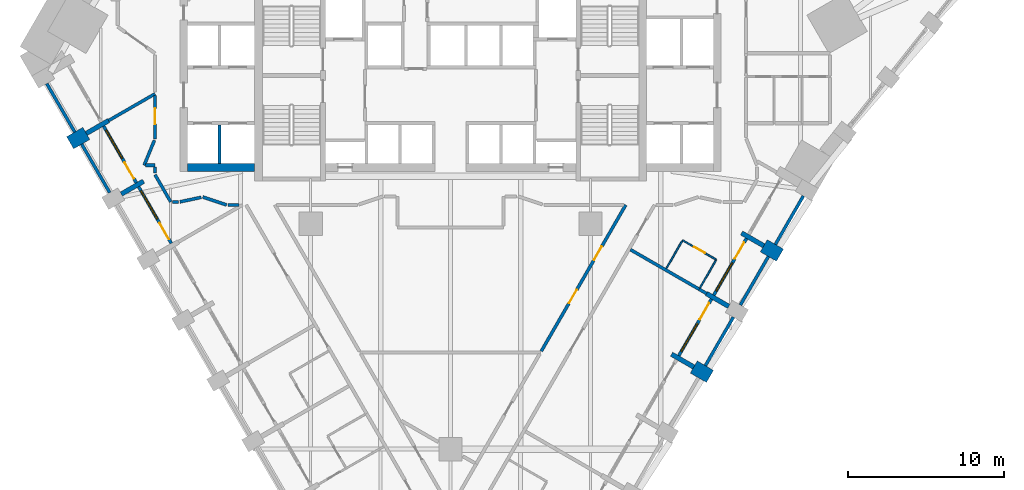
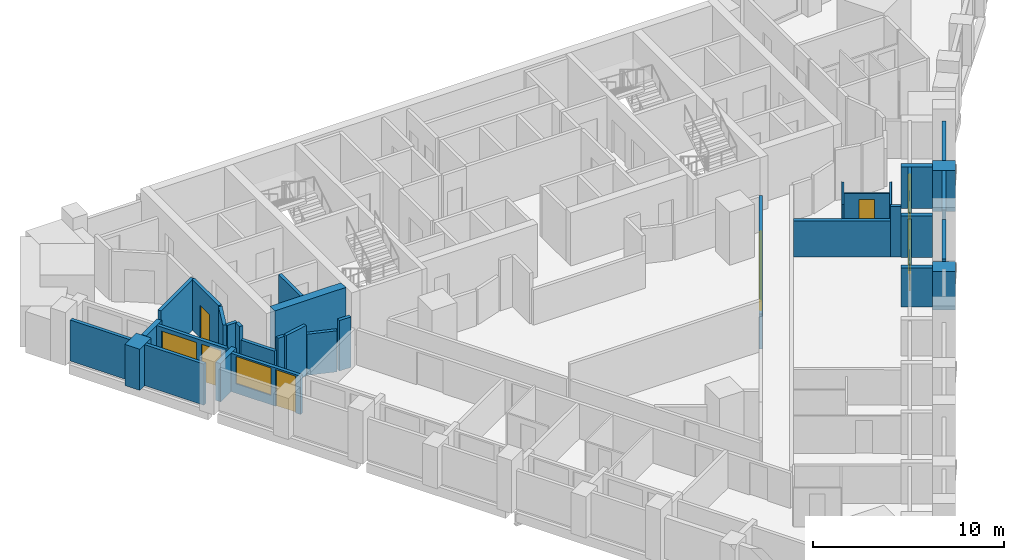
# One storey, part 5 of 11: 35 walls, 8 doors, 4 windows, 12 openings.
"""IFC4 building model written with IfcOpenShell, lengths in metres."""

from ifc_helpers import new_model, si_unit, direction, frame, frame_2d, origin, place, context, subcontext, project, spatial, rectangle, extrude, material, layer, layer_set, type_object, element, fill, save


model = new_model("IFC4")

# Units and contexts
model_context = context("Model", 3, precision=1e-05, world=origin(), true_north=direction((0.0, 1.0)))
body_context = subcontext(model_context, "Body", "Model", "MODEL_VIEW")
ifc_project = project(units=[si_unit("LENGTHUNIT", "METRE"), si_unit("AREAUNIT", "SQUARE_METRE"), si_unit("VOLUMEUNIT", "CUBIC_METRE"), si_unit("PLANEANGLEUNIT", "RADIAN"), si_unit("MASSUNIT", "GRAM", prefix="KILO")], contexts=[model_context])

# Site, building, storey
site_placement = place(None, origin())
site = spatial("IfcSite", under=ifc_project, at=site_placement, CompositionType="ELEMENT")
building_placement = place(site_placement, origin())
building = spatial("IfcBuilding", under=site, at=building_placement, Name="Calabash Gate Tower", CompositionType="ELEMENT")
storey_placement = place(building_placement, frame((0.0, 0.0, 129.199951171875)))
storey = spatial("IfcBuildingStorey", under=building, at=storey_placement, Name="L30", CompositionType="ELEMENT", Elevation=129.199951171875)

# Walls
ifc_material_1 = material(Name="Terracotta brick masonry, exposed face", Category="masonry")
ifc_layer_1 = layer(ifc_material_1, 1.199951171875)
ifc_layer_set_1 = layer_set([ifc_layer_1], Name="Brick end wall 1200")
wall_type_1 = type_object("IfcWallType", Name="Brick end wall 1200", PredefinedType="SOLIDWALL", material=ifc_layer_set_1)
wall_1_placement = place(storey_placement, frame((-24.457763671875, 7.697265625, 0.0), z_axis=(0.0, 0.0, 1.0), x_axis=(0.865955154139, 0.50012165622, 0.0)))
element("IfcWall", 1, at=wall_1_placement, inside=storey, type_object=wall_type_1, Name="Brick pier S08 SW0.1", PredefinedType="SOLIDWALL", context=body_context, shape_type="SweptSolid", body=[
    extrude(rectangle(XDim=1.199951171875, YDim=0.89990234375, at=frame_2d((0.60009765625, 0.0))), origin(), (0.0, 0.0, 1.0), 2.630126953125),
])
wall_2_placement = place(storey_placement, frame((15.636962890625, -6.720947265625, 0.0), z_axis=(0.0, 0.0, 1.0), x_axis=(0.866094119867, -0.499880961361, 0.0)))
element("IfcWall", 2, at=wall_2_placement, inside=storey, type_object=wall_type_1, Name="Brick pier S08 SE2.5", PredefinedType="SOLIDWALL", context=body_context, shape_type="SweptSolid", body=[
    extrude(rectangle(XDim=1.199951171875, YDim=0.89990234375, at=frame_2d((0.60009765625, 0.0))), origin(), (0.0, 0.0, 1.0), 2.4736328125),
])
wall_3_placement = place(storey_placement, frame((21.17626953125, 0.473388671875, 0.0), z_axis=(0.0, 0.0, 1.0), x_axis=(-0.866006032174, 0.500033551112, 0.0)))
element("IfcWall", 3, at=wall_3_placement, inside=storey, type_object=wall_type_1, Name="Brick pier S08 SE2.7", PredefinedType="SOLIDWALL", context=body_context, shape_type="SweptSolid", body=[
    extrude(rectangle(XDim=1.2001953125, YDim=0.89990234375, at=frame_2d((0.60009765625, 0.0))), origin(), (0.0, 0.0, 1.0), 2.630126953125),
])
ifc_material_2 = material(Name="Terracotta brick masonry, exposed face", Category="masonry")
ifc_layer_2 = layer(ifc_material_2, 0.300048828125)
ifc_layer_set_2 = layer_set([ifc_layer_2], Name="Brick loggia cheek wall 300")
wall_type_2 = type_object("IfcWallType", Name="Brick loggia cheek wall 300", PredefinedType="SOLIDWALL", material=ifc_layer_set_2)
wall_4_placement = place(storey_placement, frame((-23.418701171875, 8.29736328125, 0.0), z_axis=(0.0, 0.0, 1.0), x_axis=(0.866040211805, 0.499974350878, 0.0)))
element("IfcWall", 4, at=wall_4_placement, inside=storey, type_object=wall_type_2, Name="Loggia cheek S08 SW0.1", PredefinedType="SOLIDWALL", context=body_context, shape_type="SweptSolid", body=[
    extrude(rectangle(XDim=1.64990234375, YDim=0.300048828125, at=frame_2d((0.824951171875, 0.0))), origin(), (0.0, 0.0, 1.0), 2.650146484375),
])
wall_5_placement = place(storey_placement, frame((-21.16845703125, 4.400146484375, 0.0), z_axis=(0.0, 0.0, 1.0), x_axis=(0.866003217194, 0.500038426333, 0.0)))
element("IfcWall", 5, at=wall_5_placement, inside=storey, type_object=wall_type_2, Name="Loggia cheek S08 SW0.2", PredefinedType="SOLIDWALL", context=body_context, shape_type="SweptSolid", body=[
    extrude(rectangle(XDim=1.649658203125, YDim=0.300048828125, at=frame_2d((0.82470703125, 0.0))), origin(), (0.0, 0.0, 1.0), 2.4501953125),
])
wall_6_placement = place(storey_placement, frame((15.636962890625, -6.720947265625, 0.0), z_axis=(0.0, 0.0, 1.0), x_axis=(-0.865976140824, 0.500085316245, 0.0)))
element("IfcWall", 6, at=wall_6_placement, inside=storey, type_object=wall_type_2, Name="Loggia cheek S08 SE2.5", PredefinedType="SOLIDWALL", context=body_context, shape_type="SweptSolid", body=[
    extrude(rectangle(XDim=1.650146484375, YDim=0.300048828125, at=frame_2d((0.8251953125, 0.0))), origin(), (0.0, 0.0, 1.0), 2.4736328125),
])
for number, where, z_axis, x_axis, name in (
    (7, (16.4580078125, -1.998779296875, 0.0), (0.0, 0.0, 1.0), (0.866040211805, -0.499974350878, 0.0), "Loggia cheek S08 SE2.6"),
    (8, (18.7080078125, 1.8984375, 0.0), (0.0, 0.0, 1.0), (0.866040211805, -0.499974350878, 0.0), "Loggia cheek S08 SE2.7"),
):
    element("IfcWall", number, at=place(storey_placement, frame(where, z_axis=z_axis, x_axis=x_axis)), inside=storey, type_object=wall_type_2, Name=name, PredefinedType="SOLIDWALL", context=body_context, shape_type="SweptSolid", body=[
        extrude(rectangle(XDim=1.64990234375, YDim=0.300048828125, at=frame_2d((0.824951171875, 0.0))), origin(), (0.0, 0.0, 1.0), 2.650146484375),
    ])
ifc_material_3 = material(Name="Concrete C80/95", Category="concrete")
ifc_layer_3 = layer(ifc_material_3, 0.5)
ifc_layer_set_3 = layer_set([ifc_layer_3], Name="Core wall 500 Concrete C80/95")
wall_type_3 = type_object("IfcWallType", Name="Core wall 500 Concrete C80/95", PredefinedType="SHEAR", material=ifc_layer_set_3)
wall_7_placement = place(storey_placement, frame((-12.60009765625, 6.1025390625, 0.0), z_axis=(0.0, 0.0, 1.0), x_axis=(-1.0, 0.0, 0.0)))
element("IfcWall", 9, at=wall_7_placement, inside=storey, type_object=wall_type_3, Name="Core wall Z2-SW L30", PredefinedType="SHEAR", context=body_context, shape_type="SweptSolid", body=[
    extrude(rectangle(XDim=4.2998046875, YDim=0.5, at=frame_2d((2.14990234375, 0.0))), origin(), (0.0, 0.0, 1.0), 3.400146484375),
])
ifc_material_4 = material(Name="Gypsum board on steel studs, mineral wool", Category="steel")
ifc_layer_4 = layer(ifc_material_4, 0.10009765625)
ifc_layer_set_4 = layer_set([ifc_layer_4], Name="Partition 100 gypsum board")
wall_type_4 = type_object("IfcWallType", Name="Partition 100 gypsum board", PredefinedType="PARTITIONING", material=ifc_layer_set_4)
wall_8_placement = place(storey_placement, frame((16.030517578125, -1.635986328125, 0.0), z_axis=(0.0, 0.0, 1.0), x_axis=(0.500646589026, 0.865651773461, 0.0)))
element("IfcWall", 10, at=wall_8_placement, inside=storey, type_object=wall_type_4, Name="Partition", PredefinedType="PARTITIONING", context=body_context, shape_type="SweptSolid", body=[
    extrude(rectangle(XDim=2.050048828125, YDim=0.10009765625, at=frame_2d((1.02490234375, 0.0))), origin(), (0.0, 0.0, 1.0), 3.22998046875),
])

# Wall, opening, door
wall_9_placement = place(storey_placement, frame((14.9169921875, 1.431884765625, 0.0), z_axis=(0.0, 0.0, 1.0), x_axis=(0.866022959057, -0.500004234368, 0.0)))
wall_9 = element("IfcWall", 11, at=wall_9_placement, inside=storey, type_object=wall_type_4, Name="Partition", PredefinedType="PARTITIONING", context=body_context, shape_type="SweptSolid", body=[
    extrude(rectangle(XDim=2.5, YDim=0.10009765625, at=frame_2d((1.25, 0.0))), origin(), (0.0, 0.0, 1.0), 2.4736328125),
])
opening_1_placement = place(wall_9_placement, frame((0.85009765625, 0.0, 0.0)))
opening_1 = element("IfcOpeningElement", 12, at=opening_1_placement, cuts=wall_9, Name="Opening 28-30-014", PredefinedType="OPENING", context=body_context, shape_type="SweptSolid", body=[
    extrude(rectangle(XDim=0.800048828125, YDim=2.10009765625, at=frame_2d((0.39990234375, 1.050048828125))), frame((0.0, 0.06005859375, 0.0), z_axis=(0.0, -1.0, 0.0), x_axis=(1.0, 0.0, 0.0)), (0.0, 0.0, 1.0), 0.1201171875),
])
ifc_material_5 = material(Name="Painted timber door", Category="wood")
door_type_1 = type_object("IfcDoorType", Name="GD5 En-suite door 800x2100", OperationType="NOTDEFINED", PredefinedType="DOOR", material=ifc_material_5)
door_1_placement = place(opening_1_placement, origin())
door_1 = element("IfcDoor", 13, at=door_1_placement, inside=storey, type_object=door_type_1, Name="En-suite door", OperationType="SINGLE_SWING_RIGHT", OverallHeight=2.10009765625, OverallWidth=0.800048828125, PredefinedType="DOOR", context=body_context, shape_type="SweptSolid", body=[
    extrude(rectangle(XDim=0.800048828125, YDim=2.10009765625, at=frame_2d((0.39990234375, 1.050048828125))), frame((0.0, 0.02490234375, 0.0), z_axis=(0.0, -1.0, 0.0), x_axis=(1.0, 0.0, 0.0)), (0.0, 0.0, 1.0), 0.050048828125),
])
fill(opening_1, door_1)

# Wall
wall_10_placement = place(storey_placement, frame((13.868408203125, -0.387451171875, 0.0), z_axis=(0.0, 0.0, 1.0), x_axis=(0.499265284884, 0.866449176415, 0.0)))
element("IfcWall", 14, at=wall_10_placement, inside=storey, type_object=wall_type_4, Name="Partition", PredefinedType="PARTITIONING", context=body_context, shape_type="SweptSolid", body=[
    extrude(rectangle(XDim=2.0498046875, YDim=0.10009765625, at=frame_2d((1.02490234375, 0.0))), origin(), (0.0, 0.0, 1.0), 3.22998046875),
])

# Wall, openings, doors
ifc_material_6 = material(Name="Gypsum board on steel studs, mineral wool", Category="steel")
ifc_layer_5 = layer(ifc_material_6, 0.199951171875)
ifc_layer_set_5 = layer_set([ifc_layer_5], Name="Partition 200 gypsum board EI 60")
wall_type_5 = type_object("IfcWallType", Name="Partition 200 gypsum board EI 60", PredefinedType="PARTITIONING", material=ifc_layer_set_5)
wall_11_placement = place(storey_placement, frame((5.8291015625, -5.70458984375, 0.0), z_axis=(0.0, 0.0, 1.0), x_axis=(0.500142759665, 0.865942965763, 0.0)))
wall_11 = element("IfcWall", 15, at=wall_11_placement, inside=storey, type_object=wall_type_5, Name="Partition", PredefinedType="PARTITIONING", context=body_context, shape_type="SweptSolid", body=[
    extrude(rectangle(XDim=10.860107421875, YDim=0.199951171875, at=frame_2d((5.43017578125, 0.0))), origin(), (0.0, 0.0, 1.0), 2.24169921875),
])
opening_2_placement = place(wall_11_placement, frame((6.768310546875, 0.0, 0.0)))
opening_2 = element("IfcOpeningElement", 16, at=opening_2_placement, cuts=wall_11, Name="Opening 28-30-011", PredefinedType="OPENING", context=body_context, shape_type="SweptSolid", body=[
    extrude(rectangle(XDim=1.0, YDim=2.10009765625, at=frame_2d((0.5, 1.050048828125))), frame((0.0, 0.10986328125, 0.0), z_axis=(0.0, -1.0, 0.0), x_axis=(1.0, 0.0, 0.0)), (0.0, 0.0, 1.0), 0.219970703125),
])
opening_3_placement = place(wall_11_placement, frame((3.56298828125, 0.0, 0.0)))
opening_3 = element("IfcOpeningElement", 17, at=opening_3_placement, cuts=wall_11, Name="Opening 28-30-025", PredefinedType="OPENING", context=body_context, shape_type="SweptSolid", body=[
    extrude(rectangle(XDim=1.0, YDim=2.10009765625, at=frame_2d((0.5, 1.050048828125))), frame((0.0, 0.10986328125, 0.0), z_axis=(0.0, -1.0, 0.0), x_axis=(1.0, 0.0, 0.0)), (0.0, 0.0, 1.0), 0.219970703125),
])
ifc_material_7 = material(Name="Steel fire door set with fire-resisting glazing", Category="steel")
door_type_2 = type_object("IfcDoorType", Name="LD2 Meeting room door 1000x2100", OperationType="NOTDEFINED", PredefinedType="DOOR", material=ifc_material_7)
door_2_placement = place(opening_2_placement, origin())
door_2 = element("IfcDoor", 18, at=door_2_placement, inside=storey, type_object=door_type_2, Name="Meeting room door", OperationType="SINGLE_SWING_RIGHT", OverallHeight=2.10009765625, OverallWidth=1.0, PredefinedType="DOOR", context=body_context, shape_type="SweptSolid", body=[
    extrude(rectangle(XDim=1.0, YDim=2.10009765625, at=frame_2d((0.5, 1.050048828125))), frame((0.0, 0.02490234375, 0.0), z_axis=(0.0, -1.0, 0.0), x_axis=(1.0, 0.0, 0.0)), (0.0, 0.0, 1.0), 0.050048828125),
])
fill(opening_2, door_2)
door_3_placement = place(opening_3_placement, origin())
door_3 = element("IfcDoor", 19, at=door_3_placement, inside=storey, type_object=door_type_2, Name="Meeting room door", OperationType="SINGLE_SWING_LEFT", OverallHeight=2.10009765625, OverallWidth=1.0, PredefinedType="DOOR", context=body_context, shape_type="SweptSolid", body=[
    extrude(rectangle(XDim=1.0, YDim=2.10009765625, at=frame_2d((0.5, 1.050048828125))), frame((0.0, 0.02490234375, 0.0), z_axis=(0.0, -1.0, 0.0), x_axis=(1.0, 0.0, 0.0)), (0.0, 0.0, 1.0), 0.050048828125),
])
fill(opening_3, door_3)

# Walls
wall_12_placement = place(storey_placement, frame((15.98291015625, -1.72216796875, 0.0), z_axis=(0.0, 0.0, 1.0), x_axis=(0.864695615284, -0.502296220281, 0.0)))
element("IfcWall", 20, at=wall_12_placement, inside=storey, type_object=wall_type_5, Name="Partition", PredefinedType="PARTITIONING", context=body_context, shape_type="SweptSolid", body=[
    extrude(rectangle(XDim=0.5498046875, YDim=0.199951171875, at=frame_2d((0.27490234375, 0.0))), origin(), (0.0, 0.0, 1.0), 3.22998046875),
])
wall_13_placement = place(storey_placement, frame((11.565673828125, 0.826416015625, 0.0), z_axis=(0.0, 0.0, 1.0), x_axis=(0.866318662666, -0.499491716364, 0.0)))
element("IfcWall", 21, at=wall_13_placement, inside=storey, type_object=wall_type_5, Name="Partition", PredefinedType="PARTITIONING", context=body_context, shape_type="SweptSolid", body=[
    extrude(rectangle(XDim=5.099365234375, YDim=0.199951171875, at=frame_2d((2.5498046875, 0.0))), origin(), (0.0, 0.0, 1.0), 2.30810546875),
])
wall_14_placement = place(storey_placement, frame((-15.934814453125, 4.211181640625, 0.0), z_axis=(0.0, 0.0, 1.0), x_axis=(0.948653110684, -0.316318313712, 0.0)))
element("IfcWall", 22, at=wall_14_placement, inside=storey, type_object=wall_type_5, Name="Partition", PredefinedType="PARTITIONING", context=body_context, shape_type="SweptSolid", body=[
    extrude(rectangle(XDim=1.61767578125, YDim=0.199951171875, at=frame_2d((0.808837890625, 0.0))), origin(), (0.0, 0.0, 1.0), 2.6279296875),
])
wall_15_placement = place(storey_placement, frame((-14.300048828125, 3.699462890625, 0.0), z_axis=(0.0, 0.0, 1.0), x_axis=(0.999998529944, -0.00171467512, 0.0)))
element("IfcWall", 23, at=wall_15_placement, inside=storey, type_object=wall_type_5, Name="Partition", PredefinedType="PARTITIONING", context=body_context, shape_type="SweptSolid", body=[
    extrude(rectangle(XDim=0.7119140625, YDim=0.199951171875, at=frame_2d((0.35595703125, 0.0))), origin(), (0.0, 0.0, 1.0), 3.22998046875),
])
wall_16_placement = place(storey_placement, frame((-19.00048828125, 5.643798828125, 0.0), z_axis=(0.0, 0.0, 1.0), x_axis=(0.500075657258, -0.86598171864, 0.0)))
element("IfcWall", 24, at=wall_16_placement, inside=storey, type_object=wall_type_5, Name="Partition", PredefinedType="PARTITIONING", context=body_context, shape_type="SweptSolid", body=[
    extrude(rectangle(XDim=2.014404296875, YDim=0.199951171875, at=frame_2d((1.00732421875, 0.0))), origin(), (0.0, 0.0, 1.0), 2.4501953125),
])
wall_17_placement = place(storey_placement, frame((-17.893310546875, 3.8994140625, 0.0), z_axis=(0.0, 0.0, 1.0), x_axis=(1.0, 0.0, 0.0)))
element("IfcWall", 25, at=wall_17_placement, inside=storey, type_object=wall_type_5, Name="Partition", PredefinedType="PARTITIONING", context=body_context, shape_type="SweptSolid", body=[
    extrude(rectangle(XDim=0.393310546875, YDim=0.199951171875, at=frame_2d((0.19677734375, 0.0))), origin(), (0.0, 0.0, 1.0), 3.22998046875),
])
wall_18_placement = place(storey_placement, frame((-17.39990234375, 3.8994140625, 0.0), z_axis=(0.0, 0.0, 1.0), x_axis=(0.978123323974, 0.208025871224, 0.0)))
element("IfcWall", 26, at=wall_18_placement, inside=storey, type_object=wall_type_5, Name="Partition", PredefinedType="PARTITIONING", context=body_context, shape_type="SweptSolid", body=[
    extrude(rectangle(XDim=1.397705078125, YDim=0.199951171875, at=frame_2d((0.69873046875, 0.0))), origin(), (0.0, 0.0, 1.0), 3.22998046875),
])
wall_19_placement = place(storey_placement, frame((-19.00048828125, 6.152099609375, 0.0), z_axis=(0.0, 0.0, 1.0), x_axis=(0.0, -1.0, 0.0)))
element("IfcWall", 27, at=wall_19_placement, inside=storey, type_object=wall_type_5, Name="Partition", PredefinedType="PARTITIONING", context=body_context, shape_type="SweptSolid", body=[
    extrude(rectangle(XDim=0.408203125, YDim=0.199951171875, at=frame_2d((0.2041015625, 0.0))), origin(), (0.0, 0.0, 1.0), 3.22998046875),
])
wall_20_placement = place(storey_placement, frame((-19.700439453125, 6.252685546875, 0.0), z_axis=(0.0, 0.0, 1.0), x_axis=(0.380742741509, 0.924681007044, 0.0)))
element("IfcWall", 28, at=wall_20_placement, inside=storey, type_object=wall_type_5, Name="Partition", PredefinedType="PARTITIONING", context=body_context, shape_type="SweptSolid", body=[
    extrude(rectangle(XDim=1.73828125, YDim=0.199951171875, at=frame_2d((0.869140625, 0.0))), origin(), (0.0, 0.0, 1.0), 3.22998046875),
])
wall_21_placement = place(storey_placement, frame((-19.6005859375, 6.252685546875, 0.0), z_axis=(0.0, 0.0, 1.0), x_axis=(0.999999668971, -0.000813669381, 0.0)))
element("IfcWall", 29, at=wall_21_placement, inside=storey, type_object=wall_type_5, Name="Partition", PredefinedType="PARTITIONING", context=body_context, shape_type="SweptSolid", body=[
    extrude(rectangle(XDim=0.60009765625, YDim=0.199951171875, at=frame_2d((0.300048828125, 0.0))), origin(), (0.0, 0.0, 1.0), 3.22998046875),
])

# Wall, opening, door
wall_22_placement = place(storey_placement, frame((-19.001953125, 10.7470703125, 0.0), z_axis=(0.0, 0.0, 1.0), x_axis=(0.000524200522, -0.999999862607, 0.0)))
wall_22 = element("IfcWall", 30, at=wall_22_placement, inside=storey, type_object=wall_type_5, Name="Partition", PredefinedType="PARTITIONING", context=body_context, shape_type="SweptSolid", body=[
    extrude(rectangle(XDim=2.79443359375, YDim=0.199951171875, at=frame_2d((1.397216796875, 0.0))), origin(), (0.0, 0.0, 1.0), 3.22998046875),
])
opening_4_placement = place(wall_22_placement, frame((0.845703125, 0.0, 0.0)))
opening_4 = element("IfcOpeningElement", 31, at=opening_4_placement, cuts=wall_22, Name="Opening 28-30-021", PredefinedType="OPENING", context=body_context, shape_type="SweptSolid", body=[
    extrude(rectangle(XDim=1.0, YDim=2.10009765625, at=frame_2d((0.5, 1.050048828125))), frame((0.0, 0.10986328125, 0.0), z_axis=(0.0, -1.0, 0.0), x_axis=(1.0, 0.0, 0.0)), (0.0, 0.0, 1.0), 0.219970703125),
])
door_4_placement = place(opening_4_placement, origin())
door_4 = element("IfcDoor", 32, at=door_4_placement, inside=storey, type_object=door_type_2, Name="Meeting room door", OperationType="SINGLE_SWING_LEFT", OverallHeight=2.10009765625, OverallWidth=1.0, PredefinedType="DOOR", context=body_context, shape_type="SweptSolid", body=[
    extrude(rectangle(XDim=1.0, YDim=2.10009765625, at=frame_2d((0.5, 1.050048828125))), frame((0.0, 0.02490234375, 0.0), z_axis=(0.0, -1.0, 0.0), x_axis=(1.0, 0.0, 0.0)), (0.0, 0.0, 1.0), 0.050048828125),
])
fill(opening_4, door_4)

# Walls
wall_23_placement = place(storey_placement, frame((-21.989501953125, 9.1220703125, 0.0), z_axis=(0.0, 0.0, 1.0), x_axis=(0.866285697387, 0.499548887001, 0.0)))
element("IfcWall", 33, at=wall_23_placement, inside=storey, type_object=wall_type_5, Name="Partition", PredefinedType="PARTITIONING", context=body_context, shape_type="SweptSolid", body=[
    extrude(rectangle(XDim=3.450439453125, YDim=0.199951171875, at=frame_2d((1.72509765625, 0.0))), origin(), (0.0, 0.0, 1.0), 3.22998046875),
])
ifc_material_8 = material(Name="Concrete C40/50", Category="concrete")
ifc_layer_6 = layer(ifc_material_8, 0.199951171875)
ifc_layer_set_6 = layer_set([ifc_layer_6], Name="Shaft wall 200 Concrete C40/50")
wall_type_6 = type_object("IfcWallType", Name="Shaft wall 200 Concrete C40/50", PredefinedType="SOLIDWALL", material=ifc_layer_set_6)
wall_24_placement = place(storey_placement, frame((-14.85009765625, 6.3525390625, 0.0), z_axis=(0.0, 0.0, 1.0), x_axis=(0.0, 1.0, 0.0)))
element("IfcWall", 34, at=wall_24_placement, inside=storey, type_object=wall_type_6, Name="Shaft wall", PredefinedType="SOLIDWALL", context=body_context, shape_type="SweptSolid", body=[
    extrude(rectangle(XDim=2.5, YDim=0.199951171875, at=frame_2d((1.25, 0.0))), origin(), (0.0, 0.0, 1.0), 3.22998046875),
])
ifc_material_9 = material(Name="Terracotta brick masonry, perforated", Category="masonry")
ifc_layer_7 = layer(ifc_material_9, 0.199951171875)
ifc_layer_set_7 = layer_set([ifc_layer_7], Name="Terracotta jaali screen B")
wall_type_7 = type_object("IfcWallType", Name="Terracotta jaali screen B", PredefinedType="SOLIDWALL", material=ifc_layer_set_7)
for number, where, z_axis, x_axis, name in (
    (35, (-25.963134765625, 11.504638671875, 0.0), (0.0, 0.0, 1.0), (0.500012057535, -0.866018442252, 0.0), "SCREEN B S08 SW0.1"),
    (36, (-23.713134765625, 7.607666015625, 0.0), (0.0, 0.0, 1.0), (0.500012057535, -0.866018442252, 0.0), "SCREEN B S08 SW0.2"),
    (37, (16.381591796875, -6.631103515625, 0.0), (0.0, 0.0, 1.0), (0.500012057535, 0.866018442252, 0.0), "SCREEN B S08 SE2.6"),
):
    element("IfcWall", number, at=place(storey_placement, frame(where, z_axis=z_axis, x_axis=x_axis)), inside=storey, type_object=wall_type_7, Name=name, PredefinedType="SOLIDWALL", context=body_context, shape_type="SweptSolid", body=[
        extrude(rectangle(XDim=3.60009765625, YDim=0.199951171875, at=frame_2d((1.800048828125, 0.0))), origin(), (0.0, 0.0, 1.0), 2.630126953125),
    ])
wall_25_placement = place(storey_placement, frame((18.631591796875, -2.734130859375, 0.0), z_axis=(0.0, 0.0, 1.0), x_axis=(0.499982693035, 0.866035395735, 0.0)))
element("IfcWall", 38, at=wall_25_placement, inside=storey, type_object=wall_type_7, Name="SCREEN B S08 SE2.7", PredefinedType="SOLIDWALL", context=body_context, shape_type="SweptSolid", body=[
    extrude(rectangle(XDim=3.600341796875, YDim=0.199951171875, at=frame_2d((1.80029296875, 0.0))), origin(), (0.0, 0.0, 1.0), 2.630126953125),
])
wall_26_placement = place(storey_placement, frame((20.881591796875, 1.1630859375, 0.0), z_axis=(0.0, 0.0, 1.0), x_axis=(0.500012057535, 0.866018442252, 0.0)))
element("IfcWall", 39, at=wall_26_placement, inside=storey, type_object=wall_type_7, Name="SCREEN B S08 SE2.8", PredefinedType="SOLIDWALL", context=body_context, shape_type="SweptSolid", body=[
    extrude(rectangle(XDim=3.60009765625, YDim=0.199951171875, at=frame_2d((1.800048828125, 0.0))), origin(), (0.0, 0.0, 1.0), 2.630126953125),
])

# Wall, openings, door, window
ifc_material_10 = material(Name="Aluminium framed window wall with insulated spandrel", Category="aluminium")
ifc_layer_8 = layer(ifc_material_10, 0.199951171875)
ifc_layer_set_8 = layer_set([ifc_layer_8], Name="Window wall 200")
wall_type_8 = type_object("IfcWallType", Name="Window wall 200", PredefinedType="ELEMENTEDWALL", material=ifc_layer_set_8)
wall_27_placement = place(storey_placement, frame((-22.304443359375, 8.767333984375, 0.0), z_axis=(0.0, 0.0, 1.0), x_axis=(0.500027713859, -0.866009402589, 0.0)))
wall_27 = element("IfcWall", 40, at=wall_27_placement, inside=storey, type_object=wall_type_8, Name="Window wall S08 SW0.2", PredefinedType="ELEMENTEDWALL", context=body_context, shape_type="SweptSolid", body=[
    extrude(rectangle(XDim=4.199951171875, YDim=0.199951171875, at=frame_2d((2.10009765625, 0.0))), origin(), (0.0, 0.0, 1.0), 2.650146484375),
])
opening_5_placement = place(wall_27_placement, frame((0.300048828125, 0.0, 0.60009765625)))
opening_5 = element("IfcOpeningElement", 41, at=opening_5_placement, cuts=wall_27, Name="Opening HW1", PredefinedType="OPENING", context=body_context, shape_type="SweptSolid", body=[
    extrude(rectangle(XDim=2.10009765625, YDim=1.800048828125, at=frame_2d((1.050048828125, 0.89990234375))), frame((0.0, 0.10986328125, 0.0), z_axis=(0.0, -1.0, 0.0), x_axis=(1.0, 0.0, 0.0)), (0.0, 0.0, 1.0), 0.219970703125),
])
opening_6_placement = place(wall_27_placement, frame((2.699951171875, 0.0, 0.0)))
opening_6 = element("IfcOpeningElement", 42, at=opening_6_placement, cuts=wall_27, Name="Opening H8-027", PredefinedType="OPENING", context=body_context, shape_type="SweptSolid", body=[
    extrude(rectangle(XDim=1.199951171875, YDim=2.39990234375, at=frame_2d((0.60009765625, 1.199951171875))), frame((0.0, 0.10986328125, 0.0), z_axis=(0.0, -1.0, 0.0), x_axis=(1.0, 0.0, 0.0)), (0.0, 0.0, 1.0), 0.219970703125),
])
ifc_material_11 = material(Name="Anodised aluminium frame, bronze finish, impact-rated laminated clear glazing", Category="aluminium")
door_type_3 = type_object("IfcDoorType", Name="Loggia door DH1 1200x2400", OperationType="SLIDING_TO_LEFT", PredefinedType="DOOR", material=ifc_material_11)
door_5_placement = place(opening_6_placement, origin())
door_5 = element("IfcDoor", 43, at=door_5_placement, inside=storey, type_object=door_type_3, Name="Loggia door S08 SW0.2", OperationType="SINGLE_SWING_LEFT", OverallHeight=2.39990234375, OverallWidth=1.199951171875, PredefinedType="DOOR", context=body_context, shape_type="SweptSolid", body=[
    extrude(rectangle(XDim=1.199951171875, YDim=2.39990234375, at=frame_2d((0.60009765625, 1.199951171875))), frame((0.0, 0.02490234375, 0.0), z_axis=(0.0, -1.0, 0.0), x_axis=(1.0, 0.0, 0.0)), (0.0, 0.0, 1.0), 0.050048828125),
])
fill(opening_6, door_5)
ifc_material_12 = material(Name="Anodised aluminium frame, bronze finish, impact-rated laminated clear glazing", Category="aluminium")
window_type_1 = type_object("IfcWindowType", Name="Window HW1 2100x1800", PartitioningType="DOUBLE_PANEL_VERTICAL", PredefinedType="WINDOW", material=ifc_material_12)
window_1_placement = place(opening_5_placement, origin())
window_1 = element("IfcWindow", 44, at=window_1_placement, inside=storey, type_object=window_type_1, Name="Window HW1 S08 SW0.2", OverallHeight=1.800048828125, OverallWidth=2.10009765625, PartitioningType="SINGLE_PANEL", PredefinedType="WINDOW", context=body_context, shape_type="SweptSolid", body=[
    extrude(rectangle(XDim=2.10009765625, YDim=1.800048828125, at=frame_2d((1.050048828125, 0.89990234375))), frame((0.0, 0.030029296875, 0.0), z_axis=(0.0, -1.0, 0.0), x_axis=(1.0, 0.0, 0.0)), (0.0, 0.0, 1.0), 0.06005859375),
])
fill(opening_5, window_1)

wall_28_placement = place(storey_placement, frame((-20.054443359375, 4.870361328125, 0.0), z_axis=(0.0, 0.0, 1.0), x_axis=(0.500002543286, -0.866023935413, 0.0)))
wall_28 = element("IfcWall", 45, at=wall_28_placement, inside=storey, type_object=wall_type_8, Name="Window wall S08 SW0.3", PredefinedType="ELEMENTEDWALL", context=body_context, shape_type="SweptSolid", body=[
    extrude(rectangle(XDim=4.2001953125, YDim=0.199951171875, at=frame_2d((2.10009765625, 0.0))), origin(), (0.0, 0.0, 1.0), 2.4501953125),
])
opening_7_placement = place(wall_28_placement, frame((0.300048828125, 0.0, 0.60009765625)))
opening_7 = element("IfcOpeningElement", 46, at=opening_7_placement, cuts=wall_28, Name="Opening HW1L-1750", PredefinedType="OPENING", context=body_context, shape_type="SweptSolid", body=[
    extrude(rectangle(XDim=2.10009765625, YDim=1.75, at=frame_2d((1.050048828125, 0.875))), frame((0.0, 0.10986328125, 0.0), z_axis=(0.0, -1.0, 0.0), x_axis=(1.0, 0.0, 0.0)), (0.0, 0.0, 1.0), 0.219970703125),
])
opening_8_placement = place(wall_28_placement, frame((2.699951171875, 0.0, 0.0)))
opening_8 = element("IfcOpeningElement", 47, at=opening_8_placement, cuts=wall_28, Name="Opening H8-028", PredefinedType="OPENING", context=body_context, shape_type="SweptSolid", body=[
    extrude(rectangle(XDim=1.199951171875, YDim=2.35009765625, at=frame_2d((0.60009765625, 1.175048828125))), frame((0.0, 0.10986328125, 0.0), z_axis=(0.0, -1.0, 0.0), x_axis=(1.0, 0.0, 0.0)), (0.0, 0.0, 1.0), 0.219970703125),
])
ifc_material_13 = material(Name="Anodised aluminium frame, bronze finish, impact-rated laminated clear glazing", Category="aluminium")
door_type_4 = type_object("IfcDoorType", Name="Loggia door DH1L-2350 1200x2350", OperationType="SLIDING_TO_LEFT", PredefinedType="DOOR", material=ifc_material_13)
door_6_placement = place(opening_8_placement, origin())
door_6 = element("IfcDoor", 48, at=door_6_placement, inside=storey, type_object=door_type_4, Name="Loggia door S08 SW0.3", OperationType="SINGLE_SWING_LEFT", OverallHeight=2.35009765625, OverallWidth=1.199951171875, PredefinedType="DOOR", context=body_context, shape_type="SweptSolid", body=[
    extrude(rectangle(XDim=1.199951171875, YDim=2.35009765625, at=frame_2d((0.60009765625, 1.175048828125))), frame((0.0, 0.02490234375, 0.0), z_axis=(0.0, -1.0, 0.0), x_axis=(1.0, 0.0, 0.0)), (0.0, 0.0, 1.0), 0.050048828125),
])
fill(opening_8, door_6)
ifc_material_14 = material(Name="Anodised aluminium frame, bronze finish, impact-rated laminated clear glazing", Category="aluminium")
window_type_2 = type_object("IfcWindowType", Name="Window HW1L 2100x1750", PartitioningType="DOUBLE_PANEL_VERTICAL", PredefinedType="WINDOW", material=ifc_material_14)
window_2_placement = place(opening_7_placement, origin())
window_2 = element("IfcWindow", 49, at=window_2_placement, inside=storey, type_object=window_type_2, Name="Window HW1 S08 SW0.3", OverallHeight=1.75, OverallWidth=2.10009765625, PartitioningType="SINGLE_PANEL", PredefinedType="WINDOW", context=body_context, shape_type="SweptSolid", body=[
    extrude(rectangle(XDim=2.10009765625, YDim=1.75, at=frame_2d((1.050048828125, 0.875))), frame((0.0, 0.030029296875, 0.0), z_axis=(0.0, -1.0, 0.0), x_axis=(1.0, 0.0, 0.0)), (0.0, 0.0, 1.0), 0.06005859375),
])
fill(opening_7, window_2)

wall_29_placement = place(storey_placement, frame((14.6728515625, -5.990966796875, 0.0), z_axis=(0.0, 0.0, 1.0), x_axis=(0.499958946799, 0.866049104564, 0.0)))
wall_29 = element("IfcWall", 50, at=wall_29_placement, inside=storey, type_object=wall_type_8, Name="Window wall S08 SE2.6", PredefinedType="ELEMENTEDWALL", context=body_context, shape_type="SweptSolid", body=[
    extrude(rectangle(XDim=4.199951171875, YDim=0.199951171875, at=frame_2d((2.10009765625, 0.0))), origin(), (0.0, 0.0, 1.0), 2.4736328125),
])
opening_9_placement = place(wall_29_placement, frame((0.300048828125, 0.0, 0.60009765625)))
opening_9 = element("IfcOpeningElement", 51, at=opening_9_placement, cuts=wall_29, Name="Opening HW1L-1770", PredefinedType="OPENING", context=body_context, shape_type="SweptSolid", body=[
    extrude(rectangle(XDim=2.10009765625, YDim=1.77001953125, at=frame_2d((1.050048828125, 0.885009765625))), frame((0.0, 0.10986328125, 0.0), z_axis=(0.0, -1.0, 0.0), x_axis=(1.0, 0.0, 0.0)), (0.0, 0.0, 1.0), 0.219970703125),
])
opening_10_placement = place(wall_29_placement, frame((2.699951171875, 0.0, 0.0)))
opening_10 = element("IfcOpeningElement", 52, at=opening_10_placement, cuts=wall_29, Name="Opening H8-023", PredefinedType="OPENING", context=body_context, shape_type="SweptSolid", body=[
    extrude(rectangle(XDim=1.199951171875, YDim=2.3701171875, at=frame_2d((0.60009765625, 1.18505859375))), frame((0.0, 0.10986328125, 0.0), z_axis=(0.0, -1.0, 0.0), x_axis=(1.0, 0.0, 0.0)), (0.0, 0.0, 1.0), 0.219970703125),
])
ifc_material_15 = material(Name="Anodised aluminium frame, bronze finish, impact-rated laminated clear glazing", Category="aluminium")
door_type_5 = type_object("IfcDoorType", Name="Loggia door DH1L-2370 1200x2370", OperationType="SLIDING_TO_LEFT", PredefinedType="DOOR", material=ifc_material_15)
door_7_placement = place(opening_10_placement, origin())
door_7 = element("IfcDoor", 53, at=door_7_placement, inside=storey, type_object=door_type_5, Name="Loggia door S08 SE2.6", OperationType="SINGLE_SWING_LEFT", OverallHeight=2.3701171875, OverallWidth=1.199951171875, PredefinedType="DOOR", context=body_context, shape_type="SweptSolid", body=[
    extrude(rectangle(XDim=1.199951171875, YDim=2.3701171875, at=frame_2d((0.60009765625, 1.18505859375))), frame((0.0, 0.02490234375, 0.0), z_axis=(0.0, -1.0, 0.0), x_axis=(1.0, 0.0, 0.0)), (0.0, 0.0, 1.0), 0.050048828125),
])
fill(opening_10, door_7)
ifc_material_16 = material(Name="Anodised aluminium frame, bronze finish, impact-rated laminated clear glazing", Category="aluminium")
window_type_3 = type_object("IfcWindowType", Name="Window HW1L 2100x1770", PartitioningType="DOUBLE_PANEL_VERTICAL", PredefinedType="WINDOW", material=ifc_material_16)
window_3_placement = place(opening_9_placement, origin())
window_3 = element("IfcWindow", 54, at=window_3_placement, inside=storey, type_object=window_type_3, Name="Window HW1 S08 SE2.6", OverallHeight=1.77001953125, OverallWidth=2.10009765625, PartitioningType="SINGLE_PANEL", PredefinedType="WINDOW", context=body_context, shape_type="SweptSolid", body=[
    extrude(rectangle(XDim=2.10009765625, YDim=1.77001953125, at=frame_2d((1.050048828125, 0.885009765625))), frame((0.0, 0.030029296875, 0.0), z_axis=(0.0, -1.0, 0.0), x_axis=(1.0, 0.0, 0.0)), (0.0, 0.0, 1.0), 0.06005859375),
])
fill(opening_9, window_3)

wall_30_placement = place(storey_placement, frame((16.9228515625, -2.09375, 0.0), z_axis=(0.0, 0.0, 1.0), x_axis=(0.49998411664, 0.866034573852, 0.0)))
wall_30 = element("IfcWall", 55, at=wall_30_placement, inside=storey, type_object=wall_type_8, Name="Window wall S08 SE2.7", PredefinedType="ELEMENTEDWALL", context=body_context, shape_type="SweptSolid", body=[
    extrude(rectangle(XDim=4.199951171875, YDim=0.199951171875, at=frame_2d((2.10009765625, 0.0))), origin(), (0.0, 0.0, 1.0), 2.650146484375),
])
opening_11_placement = place(wall_30_placement, frame((0.300048828125, 0.0, 0.60009765625)))
opening_11 = element("IfcOpeningElement", 56, at=opening_11_placement, cuts=wall_30, Name="Opening HW1", PredefinedType="OPENING", context=body_context, shape_type="SweptSolid", body=[
    extrude(rectangle(XDim=2.10009765625, YDim=1.800048828125, at=frame_2d((1.050048828125, 0.89990234375))), frame((0.0, 0.10986328125, 0.0), z_axis=(0.0, -1.0, 0.0), x_axis=(1.0, 0.0, 0.0)), (0.0, 0.0, 1.0), 0.219970703125),
])
opening_12_placement = place(wall_30_placement, frame((2.699951171875, 0.0, 0.0)))
opening_12 = element("IfcOpeningElement", 57, at=opening_12_placement, cuts=wall_30, Name="Opening H8-024", PredefinedType="OPENING", context=body_context, shape_type="SweptSolid", body=[
    extrude(rectangle(XDim=1.199951171875, YDim=2.39990234375, at=frame_2d((0.60009765625, 1.199951171875))), frame((0.0, 0.10986328125, 0.0), z_axis=(0.0, -1.0, 0.0), x_axis=(1.0, 0.0, 0.0)), (0.0, 0.0, 1.0), 0.219970703125),
])
door_8_placement = place(opening_12_placement, origin())
door_8 = element("IfcDoor", 58, at=door_8_placement, inside=storey, type_object=door_type_3, Name="Loggia door S08 SE2.7", OperationType="SINGLE_SWING_LEFT", OverallHeight=2.39990234375, OverallWidth=1.199951171875, PredefinedType="DOOR", context=body_context, shape_type="SweptSolid", body=[
    extrude(rectangle(XDim=1.199951171875, YDim=2.39990234375, at=frame_2d((0.60009765625, 1.199951171875))), frame((0.0, 0.02490234375, 0.0), z_axis=(0.0, -1.0, 0.0), x_axis=(1.0, 0.0, 0.0)), (0.0, 0.0, 1.0), 0.050048828125),
])
fill(opening_12, door_8)
window_4_placement = place(opening_11_placement, origin())
window_4 = element("IfcWindow", 59, at=window_4_placement, inside=storey, type_object=window_type_1, Name="Window HW1 S08 SE2.7", OverallHeight=1.800048828125, OverallWidth=2.10009765625, PartitioningType="SINGLE_PANEL", PredefinedType="WINDOW", context=body_context, shape_type="SweptSolid", body=[
    extrude(rectangle(XDim=2.10009765625, YDim=1.800048828125, at=frame_2d((1.050048828125, 0.89990234375))), frame((0.0, 0.030029296875, 0.0), z_axis=(0.0, -1.0, 0.0), x_axis=(1.0, 0.0, 0.0)), (0.0, 0.0, 1.0), 0.06005859375),
])
fill(opening_11, window_4)

save(model, "model.ifc")
